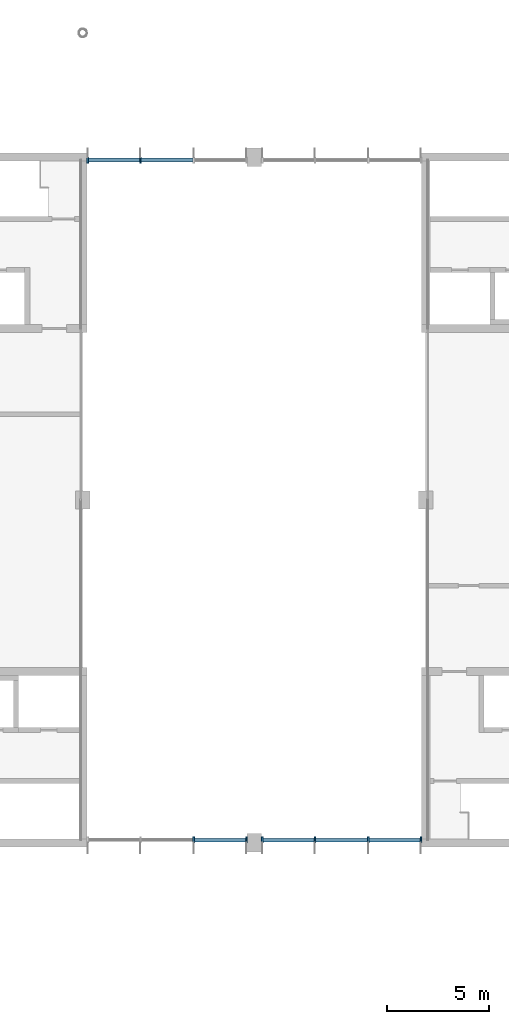
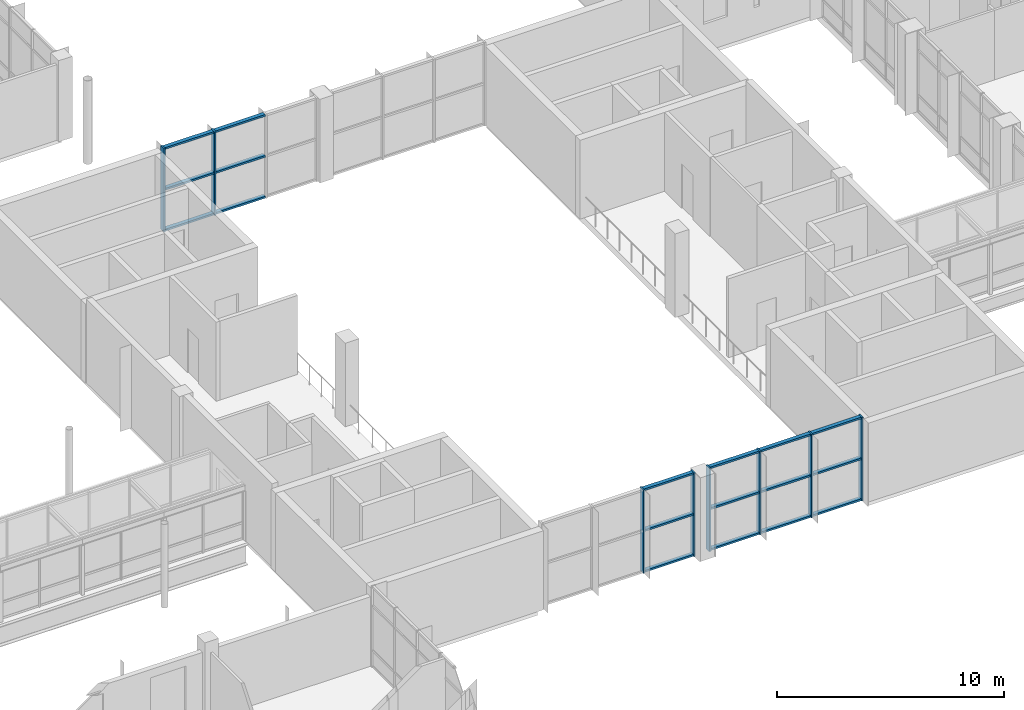
# One storey, part 14 of 70: 26 members, 3 elements without a shape of their own.
"""IFC4 building model written with IfcOpenShell, lengths in metres."""

from ifc_helpers import new_model, si_unit, direction, frame, origin, origin_2d, place, context, subcontext, project, spatial, rectangle, extrude, material, material_profile, profile_set, type_object, element, aggregate, save


model = new_model("IFC4")

# Units and contexts
model_context = context("Model", 3, precision=1e-05, world=origin(), true_north=direction((0.0, 1.0)))
body_context = subcontext(model_context, "Body", "Model", "MODEL_VIEW")
ifc_project = project(units=[si_unit("LENGTHUNIT", "METRE"), si_unit("AREAUNIT", "SQUARE_METRE"), si_unit("VOLUMEUNIT", "CUBIC_METRE"), si_unit("PLANEANGLEUNIT", "RADIAN"), si_unit("MASSUNIT", "GRAM", prefix="KILO")], contexts=[model_context])

# Site, building, storey
site_placement = place(None, origin())
site = spatial("IfcSite", under=ifc_project, at=site_placement, CompositionType="ELEMENT")
building_placement = place(site_placement, origin())
building = spatial("IfcBuilding", under=site, at=building_placement, Name="Hlaing Beacon Police Headquarters", CompositionType="ELEMENT")
storey_placement = place(building_placement, frame((0.0, 0.0, 5.39990234375)))
storey = spatial("IfcBuildingStorey", under=building, at=storey_placement, Name="L01", CompositionType="ELEMENT", Elevation=5.39990234375)

# Curtain wall, members
ifc_material_1 = material(Name="Aluminium frame with solar control glazing", Category="aluminium")
curtain_wall_type = type_object("IfcCurtainWallType", Name="Structural glazed gable wall 7.85 x 4.50", PredefinedType="NOTDEFINED", material=ifc_material_1)
curtain_wall_1_placement = place(storey_placement, origin())
curtain_wall_1 = element("IfcCurtainWall", 1, at=curtain_wall_1_placement, inside=storey, type_object=curtain_wall_type, Name="ENV-CW-L01-N008", PredefinedType="NOTDEFINED")
ifc_material_2 = material(Name="Aluminium", Category="aluminium")
ifc_material_profile_1 = material_profile(ifc_material_2, rectangle(XDim=0.300048828125, YDim=0.080078125, at=origin_2d()), Name="Mullion 80x300")
ifc_profile_set_1 = profile_set([ifc_material_profile_1], Name="Aluminium")
member_type_1 = type_object("IfcMemberType", Name="Mullion 80x300", PredefinedType="MULLION", material=ifc_profile_set_1)
member_1_placement = place(storey_placement, frame((70.0166015625, 67.050048828125, 0.0), z_axis=(0.0, 0.0, 1.0), x_axis=(0.0, -1.0, 0.0)))
member_1 = element("IfcMember", 2, at=member_1_placement, type_object=member_type_1, Name="CW-L01-N008 mullion 3", PredefinedType="MULLION", context=body_context, shape_type="SweptSolid", body=[
    extrude(rectangle(XDim=0.300048828125, YDim=0.080078125, at=origin_2d()), origin(), (0.0, 0.0, 1.0), 4.5),
])
member_2_placement = place(storey_placement, frame((67.43994140625, 67.050048828125, 0.0), z_axis=(0.0, 0.0, 1.0), x_axis=(0.0, -1.0, 0.0)))
member_2 = element("IfcMember", 3, at=member_2_placement, type_object=member_type_1, Name="CW-L01-N008 mullion 4", PredefinedType="MULLION", context=body_context, shape_type="SweptSolid", body=[
    extrude(rectangle(XDim=0.300048828125, YDim=0.080078125, at=origin_2d()), origin(), (0.0, 0.0, 1.0), 4.5),
])

curtain_wall_2_placement = place(storey_placement, origin())
curtain_wall_2 = element("IfcCurtainWall", 4, at=curtain_wall_2_placement, inside=storey, type_object=curtain_wall_type, Name="ENV-CW-L01-S009", PredefinedType="NOTDEFINED")
member_3_placement = place(storey_placement, frame((72.63330078125, 33.75, 0.0), z_axis=(0.0, 0.0, 1.0), x_axis=(0.0, 1.0, 0.0)))
member_3 = element("IfcMember", 5, at=member_3_placement, type_object=member_type_1, Name="CW-L01-S009 mullion 3", PredefinedType="MULLION", context=body_context, shape_type="SweptSolid", body=[
    extrude(rectangle(XDim=0.300048828125, YDim=0.080078125, at=origin_2d()), origin(), (0.0, 0.0, 1.0), 4.5),
])
member_4_placement = place(storey_placement, frame((75.2099609375, 33.75, 0.0), z_axis=(0.0, 0.0, 1.0), x_axis=(0.0, 1.0, 0.0)))
member_4 = element("IfcMember", 6, at=member_4_placement, type_object=member_type_1, Name="CW-L01-S009 mullion 4", PredefinedType="MULLION", context=body_context, shape_type="SweptSolid", body=[
    extrude(rectangle(XDim=0.300048828125, YDim=0.080078125, at=origin_2d()), origin(), (0.0, 0.0, 1.0), 4.5),
])

curtain_wall_3_placement = place(storey_placement, origin())
curtain_wall_3 = element("IfcCurtainWall", 7, at=curtain_wall_3_placement, inside=storey, type_object=curtain_wall_type, Name="ENV-CW-L01-S010", PredefinedType="NOTDEFINED")
member_5_placement = place(storey_placement, frame((75.989990234375, 33.75, 0.0), z_axis=(0.0, 0.0, 1.0), x_axis=(0.0, 1.0, 0.0)))
member_5 = element("IfcMember", 8, at=member_5_placement, type_object=member_type_1, Name="CW-L01-S010 mullion 1", PredefinedType="MULLION", context=body_context, shape_type="SweptSolid", body=[
    extrude(rectangle(XDim=0.300048828125, YDim=0.080078125, at=origin_2d()), origin(), (0.0, 0.0, 1.0), 4.5),
])
member_6_placement = place(storey_placement, frame((78.566650390625, 33.75, 0.0), z_axis=(0.0, 0.0, 1.0), x_axis=(0.0, 1.0, 0.0)))
member_6 = element("IfcMember", 9, at=member_6_placement, type_object=member_type_1, Name="CW-L01-S010 mullion 2", PredefinedType="MULLION", context=body_context, shape_type="SweptSolid", body=[
    extrude(rectangle(XDim=0.300048828125, YDim=0.080078125, at=origin_2d()), origin(), (0.0, 0.0, 1.0), 4.5),
])
member_7_placement = place(storey_placement, frame((81.183349609375, 33.75, 0.0), z_axis=(0.0, 0.0, 1.0), x_axis=(0.0, 1.0, 0.0)))
member_7 = element("IfcMember", 10, at=member_7_placement, type_object=member_type_1, Name="CW-L01-S010 mullion 3", PredefinedType="MULLION", context=body_context, shape_type="SweptSolid", body=[
    extrude(rectangle(XDim=0.300048828125, YDim=0.080078125, at=origin_2d()), origin(), (0.0, 0.0, 1.0), 4.5),
])
member_8_placement = place(storey_placement, frame((83.760009765625, 33.75, 0.0), z_axis=(0.0, 0.0, 1.0), x_axis=(0.0, 1.0, 0.0)))
member_8 = element("IfcMember", 11, at=member_8_placement, type_object=member_type_1, Name="CW-L01-S010 mullion 4", PredefinedType="MULLION", context=body_context, shape_type="SweptSolid", body=[
    extrude(rectangle(XDim=0.300048828125, YDim=0.080078125, at=origin_2d()), origin(), (0.0, 0.0, 1.0), 4.5),
])

# Member
ifc_material_3 = material(Name="Aluminium", Category="aluminium")
ifc_material_profile_2 = material_profile(ifc_material_3, rectangle(XDim=0.199951171875, YDim=0.10009765625, at=origin_2d()), Name="Transom 200x100")
ifc_profile_set_2 = profile_set([ifc_material_profile_2], Name="Aluminium")
member_type_2 = type_object("IfcMemberType", Name="Transom 200x100", PredefinedType="USERDEFINED", material=ifc_profile_set_2)
member_9_placement = place(storey_placement, frame((72.59326171875, 67.050048828125, 0.050048828125), z_axis=(-1.0, 0.0, 0.0), x_axis=(0.0, -1.0, 0.0)))
member_9 = element("IfcMember", 12, at=member_9_placement, type_object=member_type_2, Name="CW-L01-N008 transom 2.1", ObjectType="TRANSOM", PredefinedType="USERDEFINED", context=body_context, shape_type="SweptSolid", body=[
    extrude(rectangle(XDim=0.199951171875, YDim=0.10009765625, at=origin_2d()), origin(), (0.0, 0.0, 1.0), 2.53662109375),
])

member_10_placement = place(storey_placement, frame((72.59326171875, 67.050048828125, 2.25), z_axis=(-1.0, 0.0, 0.0), x_axis=(0.0, -1.0, 0.0)))
member_10 = element("IfcMember", 13, at=member_10_placement, type_object=member_type_2, Name="CW-L01-N008 transom 2.2", ObjectType="TRANSOM", PredefinedType="USERDEFINED", context=body_context, shape_type="SweptSolid", body=[
    extrude(rectangle(XDim=0.199951171875, YDim=0.10009765625, at=origin_2d()), origin(), (0.0, 0.0, 1.0), 2.53662109375),
])

member_11_placement = place(storey_placement, frame((72.59326171875, 67.050048828125, 4.4501953125), z_axis=(-1.0, 0.0, 0.0), x_axis=(0.0, -1.0, 0.0)))
member_11 = element("IfcMember", 14, at=member_11_placement, type_object=member_type_2, Name="CW-L01-N008 transom 2.3", ObjectType="TRANSOM", PredefinedType="USERDEFINED", context=body_context, shape_type="SweptSolid", body=[
    extrude(rectangle(XDim=0.199951171875, YDim=0.10009765625, at=origin_2d()), origin(), (0.0, 0.0, 1.0), 2.53662109375),
])

member_12_placement = place(storey_placement, frame((69.9765625, 67.050048828125, 0.050048828125), z_axis=(-1.0, 0.0, 0.0), x_axis=(0.0, -1.0, 0.0)))
member_12 = element("IfcMember", 15, at=member_12_placement, type_object=member_type_2, Name="CW-L01-N008 transom 3.1", ObjectType="TRANSOM", PredefinedType="USERDEFINED", context=body_context, shape_type="SweptSolid", body=[
    extrude(rectangle(XDim=0.199951171875, YDim=0.10009765625, at=origin_2d()), origin(), (0.0, 0.0, 1.0), 2.49658203125),
])

member_13_placement = place(storey_placement, frame((69.9765625, 67.050048828125, 2.25), z_axis=(-1.0, 0.0, 0.0), x_axis=(0.0, -1.0, 0.0)))
member_13 = element("IfcMember", 16, at=member_13_placement, type_object=member_type_2, Name="CW-L01-N008 transom 3.2", ObjectType="TRANSOM", PredefinedType="USERDEFINED", context=body_context, shape_type="SweptSolid", body=[
    extrude(rectangle(XDim=0.199951171875, YDim=0.10009765625, at=origin_2d()), origin(), (0.0, 0.0, 1.0), 2.49658203125),
])

member_14_placement = place(storey_placement, frame((69.9765625, 67.050048828125, 4.4501953125), z_axis=(-1.0, 0.0, 0.0), x_axis=(0.0, -1.0, 0.0)))
member_14 = element("IfcMember", 17, at=member_14_placement, type_object=member_type_2, Name="CW-L01-N008 transom 3.3", ObjectType="TRANSOM", PredefinedType="USERDEFINED", context=body_context, shape_type="SweptSolid", body=[
    extrude(rectangle(XDim=0.199951171875, YDim=0.10009765625, at=origin_2d()), origin(), (0.0, 0.0, 1.0), 2.49658203125),
])

aggregate(curtain_wall_1, [member_1, member_2, member_9, member_10, member_11, member_12, member_13, member_14])

member_15_placement = place(storey_placement, frame((72.67333984375, 33.75, 0.050048828125), z_axis=(1.0, 0.0, 0.0), x_axis=(0.0, 1.0, 0.0)))
member_15 = element("IfcMember", 18, at=member_15_placement, type_object=member_type_2, Name="CW-L01-S009 transom 3.1", ObjectType="TRANSOM", PredefinedType="USERDEFINED", context=body_context, shape_type="SweptSolid", body=[
    extrude(rectangle(XDim=0.199951171875, YDim=0.10009765625, at=origin_2d()), origin(), (0.0, 0.0, 1.0), 2.49658203125),
])

member_16_placement = place(storey_placement, frame((72.67333984375, 33.75, 2.25), z_axis=(1.0, 0.0, 0.0), x_axis=(0.0, 1.0, 0.0)))
member_16 = element("IfcMember", 19, at=member_16_placement, type_object=member_type_2, Name="CW-L01-S009 transom 3.2", ObjectType="TRANSOM", PredefinedType="USERDEFINED", context=body_context, shape_type="SweptSolid", body=[
    extrude(rectangle(XDim=0.199951171875, YDim=0.10009765625, at=origin_2d()), origin(), (0.0, 0.0, 1.0), 2.49658203125),
])

member_17_placement = place(storey_placement, frame((72.67333984375, 33.75, 4.4501953125), z_axis=(1.0, 0.0, 0.0), x_axis=(0.0, 1.0, 0.0)))
member_17 = element("IfcMember", 20, at=member_17_placement, type_object=member_type_2, Name="CW-L01-S009 transom 3.3", ObjectType="TRANSOM", PredefinedType="USERDEFINED", context=body_context, shape_type="SweptSolid", body=[
    extrude(rectangle(XDim=0.199951171875, YDim=0.10009765625, at=origin_2d()), origin(), (0.0, 0.0, 1.0), 2.49658203125),
])

aggregate(curtain_wall_2, [member_3, member_4, member_15, member_16, member_17])

member_18_placement = place(storey_placement, frame((76.030029296875, 33.75, 0.050048828125), z_axis=(1.0, 0.0, 0.0), x_axis=(0.0, 1.0, 0.0)))
member_18 = element("IfcMember", 21, at=member_18_placement, type_object=member_type_2, Name="CW-L01-S010 transom 1.1", ObjectType="TRANSOM", PredefinedType="USERDEFINED", context=body_context, shape_type="SweptSolid", body=[
    extrude(rectangle(XDim=0.199951171875, YDim=0.10009765625, at=origin_2d()), origin(), (0.0, 0.0, 1.0), 2.49658203125),
])

member_19_placement = place(storey_placement, frame((76.030029296875, 33.75, 2.25), z_axis=(1.0, 0.0, 0.0), x_axis=(0.0, 1.0, 0.0)))
member_19 = element("IfcMember", 22, at=member_19_placement, type_object=member_type_2, Name="CW-L01-S010 transom 1.2", ObjectType="TRANSOM", PredefinedType="USERDEFINED", context=body_context, shape_type="SweptSolid", body=[
    extrude(rectangle(XDim=0.199951171875, YDim=0.10009765625, at=origin_2d()), origin(), (0.0, 0.0, 1.0), 2.49658203125),
])

member_20_placement = place(storey_placement, frame((76.030029296875, 33.75, 4.4501953125), z_axis=(1.0, 0.0, 0.0), x_axis=(0.0, 1.0, 0.0)))
member_20 = element("IfcMember", 23, at=member_20_placement, type_object=member_type_2, Name="CW-L01-S010 transom 1.3", ObjectType="TRANSOM", PredefinedType="USERDEFINED", context=body_context, shape_type="SweptSolid", body=[
    extrude(rectangle(XDim=0.199951171875, YDim=0.10009765625, at=origin_2d()), origin(), (0.0, 0.0, 1.0), 2.49658203125),
])

member_21_placement = place(storey_placement, frame((78.606689453125, 33.75, 0.050048828125), z_axis=(1.0, 0.0, 0.0), x_axis=(0.0, 1.0, 0.0)))
member_21 = element("IfcMember", 24, at=member_21_placement, type_object=member_type_2, Name="CW-L01-S010 transom 2.1", ObjectType="TRANSOM", PredefinedType="USERDEFINED", context=body_context, shape_type="SweptSolid", body=[
    extrude(rectangle(XDim=0.199951171875, YDim=0.10009765625, at=origin_2d()), origin(), (0.0, 0.0, 1.0), 2.53662109375),
])

member_22_placement = place(storey_placement, frame((78.606689453125, 33.75, 2.25), z_axis=(1.0, 0.0, 0.0), x_axis=(0.0, 1.0, 0.0)))
member_22 = element("IfcMember", 25, at=member_22_placement, type_object=member_type_2, Name="CW-L01-S010 transom 2.2", ObjectType="TRANSOM", PredefinedType="USERDEFINED", context=body_context, shape_type="SweptSolid", body=[
    extrude(rectangle(XDim=0.199951171875, YDim=0.10009765625, at=origin_2d()), origin(), (0.0, 0.0, 1.0), 2.53662109375),
])

member_23_placement = place(storey_placement, frame((78.606689453125, 33.75, 4.4501953125), z_axis=(1.0, 0.0, 0.0), x_axis=(0.0, 1.0, 0.0)))
member_23 = element("IfcMember", 26, at=member_23_placement, type_object=member_type_2, Name="CW-L01-S010 transom 2.3", ObjectType="TRANSOM", PredefinedType="USERDEFINED", context=body_context, shape_type="SweptSolid", body=[
    extrude(rectangle(XDim=0.199951171875, YDim=0.10009765625, at=origin_2d()), origin(), (0.0, 0.0, 1.0), 2.53662109375),
])

member_24_placement = place(storey_placement, frame((81.223388671875, 33.75, 0.050048828125), z_axis=(1.0, 0.0, 0.0), x_axis=(0.0, 1.0, 0.0)))
member_24 = element("IfcMember", 27, at=member_24_placement, type_object=member_type_2, Name="CW-L01-S010 transom 3.1", ObjectType="TRANSOM", PredefinedType="USERDEFINED", context=body_context, shape_type="SweptSolid", body=[
    extrude(rectangle(XDim=0.199951171875, YDim=0.10009765625, at=origin_2d()), origin(), (0.0, 0.0, 1.0), 2.49658203125),
])

member_25_placement = place(storey_placement, frame((81.223388671875, 33.75, 2.25), z_axis=(1.0, 0.0, 0.0), x_axis=(0.0, 1.0, 0.0)))
member_25 = element("IfcMember", 28, at=member_25_placement, type_object=member_type_2, Name="CW-L01-S010 transom 3.2", ObjectType="TRANSOM", PredefinedType="USERDEFINED", context=body_context, shape_type="SweptSolid", body=[
    extrude(rectangle(XDim=0.199951171875, YDim=0.10009765625, at=origin_2d()), origin(), (0.0, 0.0, 1.0), 2.49658203125),
])

member_26_placement = place(storey_placement, frame((81.223388671875, 33.75, 4.4501953125), z_axis=(1.0, 0.0, 0.0), x_axis=(0.0, 1.0, 0.0)))
member_26 = element("IfcMember", 29, at=member_26_placement, type_object=member_type_2, Name="CW-L01-S010 transom 3.3", ObjectType="TRANSOM", PredefinedType="USERDEFINED", context=body_context, shape_type="SweptSolid", body=[
    extrude(rectangle(XDim=0.199951171875, YDim=0.10009765625, at=origin_2d()), origin(), (0.0, 0.0, 1.0), 2.49658203125),
])

aggregate(curtain_wall_3, [member_5, member_6, member_7, member_8, member_18, member_19, member_20, member_21, member_22, member_23, member_24, member_25, member_26])

save(model, "model.ifc")
